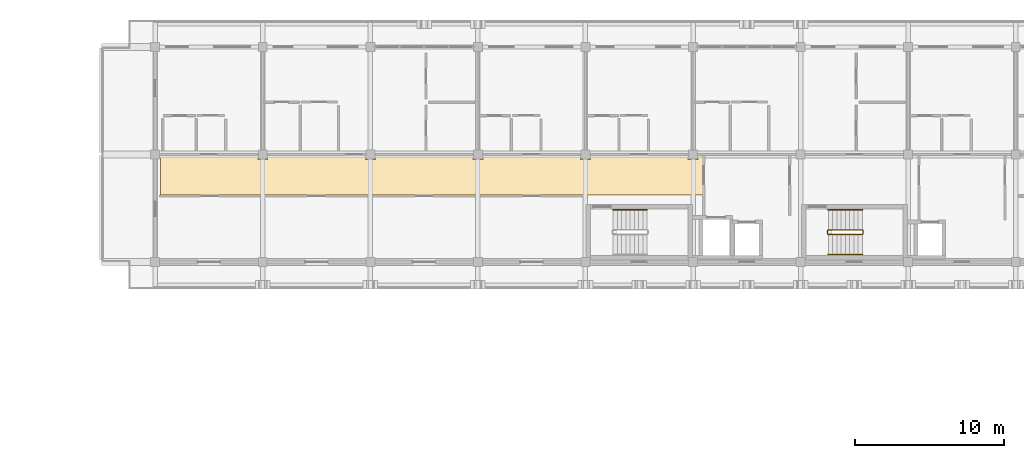
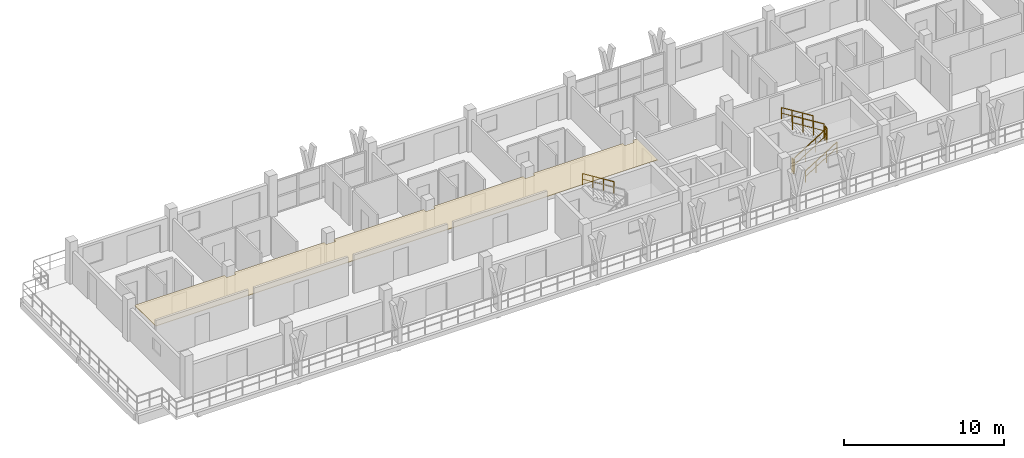
# One storey, part 57 of 65: 7 railings, 1 covering.
"""IFC4 building model written with IfcOpenShell, lengths in metres."""

from ifc_helpers import new_model, si_unit, direction, frame, origin, origin_2d, place, context, subcontext, project, spatial, polyline, rectangle, outline, extrude, material, layer, layer_set, type_object, element, save


model = new_model("IFC4")

# Units and contexts
model_context = context("Model", 3, precision=1e-05, world=origin(), true_north=direction((0.0, 1.0)))
body_context = subcontext(model_context, "Body", "Model", "MODEL_VIEW")
ifc_project = project(units=[si_unit("LENGTHUNIT", "METRE"), si_unit("AREAUNIT", "SQUARE_METRE"), si_unit("VOLUMEUNIT", "CUBIC_METRE"), si_unit("PLANEANGLEUNIT", "RADIAN"), si_unit("MASSUNIT", "GRAM", prefix="KILO")], contexts=[model_context])

# Site, building, storey
site_placement = place(None, origin())
site = spatial("IfcSite", under=ifc_project, at=site_placement, CompositionType="ELEMENT")
building_placement = place(site_placement, origin())
building = spatial("IfcBuilding", under=site, at=building_placement, Name="Suanplinth Sawtooth Commons", CompositionType="ELEMENT")
storey_placement = place(building_placement, frame((0.0, 0.0, 28.300048828125)))
storey = spatial("IfcBuildingStorey", under=building, at=storey_placement, Name="L08", CompositionType="ELEMENT", Elevation=28.300048828125)

# Covering
ifc_material_1 = material(Name="Mineral fibre acoustic tile")
ifc_layer = layer(ifc_material_1, 0.0400390625, Name="Perforated mineral-fibre acoustic suspended ceiling")
ifc_layer_set = layer_set([ifc_layer], Name="Mineral fibre acoustic tile")
covering_type = type_object("IfcCoveringType", Name="CV-CE01", PredefinedType="CEILING", material=ifc_layer_set)
covering_placement = place(storey_placement, frame((0.0, 0.0, 2.3798828125)))
element("IfcCovering", 1, at=covering_placement, inside=storey, type_object=covering_type, Name="L08 Block A Corridor Acoustic Ceiling", PredefinedType="CEILING", context=body_context, shape_type="SweptSolid", body=[
    extrude(outline(polyline([(14.760009765625, 112.5), (14.760009765625, 115.1201171875), (21.27001953125, 115.1201171875), (21.27001953125, 114.8701171875), (21.929931640625, 114.8701171875), (21.929931640625, 115.1201171875), (28.469970703125, 115.1201171875), (28.469970703125, 114.8701171875), (29.1298828125, 114.8701171875), (29.1298828125, 115.1201171875), (35.669921875, 115.1201171875), (35.669921875, 114.8701171875), (36.330078125, 114.8701171875), (36.330078125, 115.1201171875), (42.8701171875, 115.1201171875), (42.8701171875, 114.8701171875), (43.530029296875, 114.8701171875), (43.530029296875, 115.1201171875), (50.070068359375, 115.1201171875), (50.070068359375, 114.8701171875), (50.72998046875, 114.8701171875), (50.72998046875, 115.1201171875), (51.080078125, 115.1201171875), (51.080078125, 112.5), (14.760009765625, 112.5)])), origin(), (0.0, 0.0, 1.0), 0.0400390625),
])

# Railings
ifc_material_2 = material(Name="Stainless steel Grade 304", Category="steel")
railing_type_1 = type_object("IfcRailingType", Name="GR-04", PredefinedType="GUARDRAIL", material=ifc_material_2)
railing_1_placement = place(storey_placement, frame((59.449951171875, 109.85009765625, 0.177734375)))
element("IfcRailing", 2, at=railing_1_placement, inside=storey, type_object=railing_type_1, Name="L08 ST-N2 Guard 1", PredefinedType="GUARDRAIL", context=body_context, shape_type="SweptSolid", body=[
    extrude(rectangle(XDim=0.048095703125, YDim=0.048095703125, at=origin_2d()), frame((0.0, 0.0, 1.076171875), z_axis=(0.848482842525, 0.0, 0.529222888715), x_axis=(0.0, 1.0, 0.0)), (0.0, 0.0, 1.0), 2.687255859375),
    extrude(rectangle(XDim=0.03369140625, YDim=0.03369140625, at=origin_2d()), frame((0.0, 0.0, 0.550048828125), z_axis=(0.848482842525, 0.0, 0.529222888715), x_axis=(0.0, 1.0, 0.0)), (0.0, 0.0, 1.0), 2.687255859375),
    extrude(rectangle(XDim=0.0419921875, YDim=0.0419921875, at=origin_2d()), origin(), (0.0, 0.0, 1.0), 1.052001953125),
    extrude(rectangle(XDim=0.0419921875, YDim=0.0419921875, at=origin_2d()), frame((0.760009765625, 0.0, 0.47412109375)), (0.0, 0.0, 1.0), 1.052001953125),
    extrude(rectangle(XDim=0.0419921875, YDim=0.0419921875, at=origin_2d()), frame((1.52001953125, 0.0, 0.947998046875)), (0.0, 0.0, 1.0), 1.052001953125),
    extrude(rectangle(XDim=0.0419921875, YDim=0.0419921875, at=origin_2d()), frame((2.280029296875, 0.0, 1.422119140625)), (0.0, 0.0, 1.0), 1.052001953125),
])
railing_2_placement = place(storey_placement, frame((61.780029296875, 109.89990234375, 1.599853515625)))
element("IfcRailing", 3, at=railing_2_placement, inside=storey, type_object=railing_type_1, Name="L08 ST-N2 Guard 2", PredefinedType="GUARDRAIL", context=body_context, shape_type="SweptSolid", body=[
    extrude(rectangle(XDim=0.048095703125, YDim=0.048095703125, at=origin_2d()), frame((0.0, 0.0, 1.076171875), z_axis=(0.0, 1.0, 0.0), x_axis=(-1.0, 0.0, 0.0)), (0.0, 0.0, 1.0), 0.2001953125),
    extrude(rectangle(XDim=0.03369140625, YDim=0.03369140625, at=origin_2d()), frame((0.0, 0.0, 0.550048828125), z_axis=(0.0, 1.0, 0.0), x_axis=(-1.0, 0.0, 0.0)), (0.0, 0.0, 1.0), 0.2001953125),
    extrude(rectangle(XDim=0.0419921875, YDim=0.0419921875, at=origin_2d()), origin(), (0.0, 0.0, 1.0), 1.052001953125),
    extrude(rectangle(XDim=0.0419921875, YDim=0.0419921875, at=origin_2d()), frame((0.0, 0.2001953125, 0.0)), (0.0, 0.0, 1.0), 1.052001953125),
])
railing_3_placement = place(storey_placement, frame((61.72998046875, 110.14990234375, 1.77783203125)))
element("IfcRailing", 4, at=railing_3_placement, inside=storey, type_object=railing_type_1, Name="L08 ST-N2 Guard 3", PredefinedType="GUARDRAIL", context=body_context, shape_type="SweptSolid", body=[
    extrude(rectangle(XDim=0.048095703125, YDim=0.048095703125, at=origin_2d()), frame((0.0, 0.0, 1.076171875), z_axis=(-0.848482842525, 0.0, 0.529222888715), x_axis=(0.0, -1.0, 0.0)), (0.0, 0.0, 1.0), 2.687255859375),
    extrude(rectangle(XDim=0.03369140625, YDim=0.03369140625, at=origin_2d()), frame((0.0, 0.0, 0.550048828125), z_axis=(-0.848482842525, 0.0, 0.529222888715), x_axis=(0.0, -1.0, 0.0)), (0.0, 0.0, 1.0), 2.687255859375),
    extrude(rectangle(XDim=0.0419921875, YDim=0.0419921875, at=origin_2d()), origin(), (0.0, 0.0, 1.0), 1.052001953125),
    extrude(rectangle(XDim=0.0419921875, YDim=0.0419921875, at=origin_2d()), frame((-0.760009765625, 0.0, 0.47412109375)), (0.0, 0.0, 1.0), 1.052001953125),
    extrude(rectangle(XDim=0.0419921875, YDim=0.0419921875, at=origin_2d()), frame((-1.52001953125, 0.0, 0.947998046875)), (0.0, 0.0, 1.0), 1.052001953125),
    extrude(rectangle(XDim=0.0419921875, YDim=0.0419921875, at=origin_2d()), frame((-2.280029296875, 0.0, 1.422119140625)), (0.0, 0.0, 1.0), 1.052001953125),
])
railing_4_placement = place(storey_placement, frame((59.39990234375, 109.89990234375, 0.0)))
element("IfcRailing", 5, at=railing_4_placement, inside=storey, type_object=railing_type_1, Name="L08 ST-N2 Guard 4", PredefinedType="GUARDRAIL", context=body_context, shape_type="SweptSolid", body=[
    extrude(rectangle(XDim=0.048095703125, YDim=0.048095703125, at=origin_2d()), frame((0.0, 0.0, 1.076171875), z_axis=(0.0, 1.0, 0.0), x_axis=(-1.0, 0.0, 0.0)), (0.0, 0.0, 1.0), 0.2001953125),
    extrude(rectangle(XDim=0.03369140625, YDim=0.03369140625, at=origin_2d()), frame((0.0, 0.0, 0.550048828125), z_axis=(0.0, 1.0, 0.0), x_axis=(-1.0, 0.0, 0.0)), (0.0, 0.0, 1.0), 0.2001953125),
    extrude(rectangle(XDim=0.0419921875, YDim=0.0419921875, at=origin_2d()), origin(), (0.0, 0.0, 1.0), 1.052001953125),
    extrude(rectangle(XDim=0.0419921875, YDim=0.0419921875, at=origin_2d()), frame((0.0, 0.2001953125, 0.0)), (0.0, 0.0, 1.0), 1.052001953125),
])
railing_type_2 = type_object("IfcRailingType", Name="HR-01", PredefinedType="HANDRAIL", material=ifc_material_2)
railing_5_placement = place(storey_placement, frame((47.330078125, 111.5, 1.77783203125)))
element("IfcRailing", 6, at=railing_5_placement, inside=storey, type_object=railing_type_2, Name="L08 ST-N1 Handrail 2", PredefinedType="HANDRAIL", context=body_context, shape_type="SweptSolid", body=[
    extrude(rectangle(XDim=0.048095703125, YDim=0.048095703125, at=origin_2d()), frame((0.0, 0.0, 0.8759765625), z_axis=(-0.848482842525, 0.0, 0.529222888715), x_axis=(0.0, -1.0, 0.0)), (0.0, 0.0, 1.0), 2.687255859375),
    extrude(rectangle(XDim=0.03369140625, YDim=0.03369140625, at=origin_2d()), frame((0.0, 0.0, 0.449951171875), z_axis=(-0.848482842525, 0.0, 0.529222888715), x_axis=(0.0, -1.0, 0.0)), (0.0, 0.0, 1.0), 2.687255859375),
    extrude(rectangle(XDim=0.0419921875, YDim=0.0419921875, at=origin_2d()), origin(), (0.0, 0.0, 1.0), 0.851806640625),
    extrude(rectangle(XDim=0.0419921875, YDim=0.0419921875, at=origin_2d()), frame((-0.760009765625, 0.0, 0.47412109375)), (0.0, 0.0, 1.0), 0.851806640625),
    extrude(rectangle(XDim=0.0419921875, YDim=0.0419921875, at=origin_2d()), frame((-1.52001953125, 0.0, 0.947998046875)), (0.0, 0.0, 1.0), 0.851806640625),
    extrude(rectangle(XDim=0.0419921875, YDim=0.0419921875, at=origin_2d()), frame((-2.280029296875, 0.0, 1.422119140625)), (0.0, 0.0, 1.0), 0.851806640625),
])
railing_6_placement = place(storey_placement, frame((59.449951171875, 108.5, 0.177734375)))
element("IfcRailing", 7, at=railing_6_placement, inside=storey, type_object=railing_type_2, Name="L08 ST-N2 Handrail 1", PredefinedType="HANDRAIL", context=body_context, shape_type="SweptSolid", body=[
    extrude(rectangle(XDim=0.048095703125, YDim=0.048095703125, at=origin_2d()), frame((0.0, 0.0, 0.8759765625), z_axis=(0.848482842525, 0.0, 0.529222888715), x_axis=(0.0, 1.0, 0.0)), (0.0, 0.0, 1.0), 2.687255859375),
    extrude(rectangle(XDim=0.03369140625, YDim=0.03369140625, at=origin_2d()), frame((0.0, 0.0, 0.449951171875), z_axis=(0.848482842525, 0.0, 0.529222888715), x_axis=(0.0, 1.0, 0.0)), (0.0, 0.0, 1.0), 2.687255859375),
    extrude(rectangle(XDim=0.0419921875, YDim=0.0419921875, at=origin_2d()), origin(), (0.0, 0.0, 1.0), 0.851806640625),
    extrude(rectangle(XDim=0.0419921875, YDim=0.0419921875, at=origin_2d()), frame((0.760009765625, 0.0, 0.47412109375)), (0.0, 0.0, 1.0), 0.851806640625),
    extrude(rectangle(XDim=0.0419921875, YDim=0.0419921875, at=origin_2d()), frame((1.52001953125, 0.0, 0.947998046875)), (0.0, 0.0, 1.0), 0.851806640625),
    extrude(rectangle(XDim=0.0419921875, YDim=0.0419921875, at=origin_2d()), frame((2.280029296875, 0.0, 1.422119140625)), (0.0, 0.0, 1.0), 0.851806640625),
])
railing_7_placement = place(storey_placement, frame((61.72998046875, 111.5, 1.77783203125)))
element("IfcRailing", 8, at=railing_7_placement, inside=storey, type_object=railing_type_2, Name="L08 ST-N2 Handrail 2", PredefinedType="HANDRAIL", context=body_context, shape_type="SweptSolid", body=[
    extrude(rectangle(XDim=0.048095703125, YDim=0.048095703125, at=origin_2d()), frame((0.0, 0.0, 0.8759765625), z_axis=(-0.848482842525, 0.0, 0.529222888715), x_axis=(0.0, -1.0, 0.0)), (0.0, 0.0, 1.0), 2.687255859375),
    extrude(rectangle(XDim=0.03369140625, YDim=0.03369140625, at=origin_2d()), frame((0.0, 0.0, 0.449951171875), z_axis=(-0.848482842525, 0.0, 0.529222888715), x_axis=(0.0, -1.0, 0.0)), (0.0, 0.0, 1.0), 2.687255859375),
    extrude(rectangle(XDim=0.0419921875, YDim=0.0419921875, at=origin_2d()), origin(), (0.0, 0.0, 1.0), 0.851806640625),
    extrude(rectangle(XDim=0.0419921875, YDim=0.0419921875, at=origin_2d()), frame((-0.760009765625, 0.0, 0.47412109375)), (0.0, 0.0, 1.0), 0.851806640625),
    extrude(rectangle(XDim=0.0419921875, YDim=0.0419921875, at=origin_2d()), frame((-1.52001953125, 0.0, 0.947998046875)), (0.0, 0.0, 1.0), 0.851806640625),
    extrude(rectangle(XDim=0.0419921875, YDim=0.0419921875, at=origin_2d()), frame((-2.280029296875, 0.0, 1.422119140625)), (0.0, 0.0, 1.0), 0.851806640625),
])

save(model, "model.ifc")
